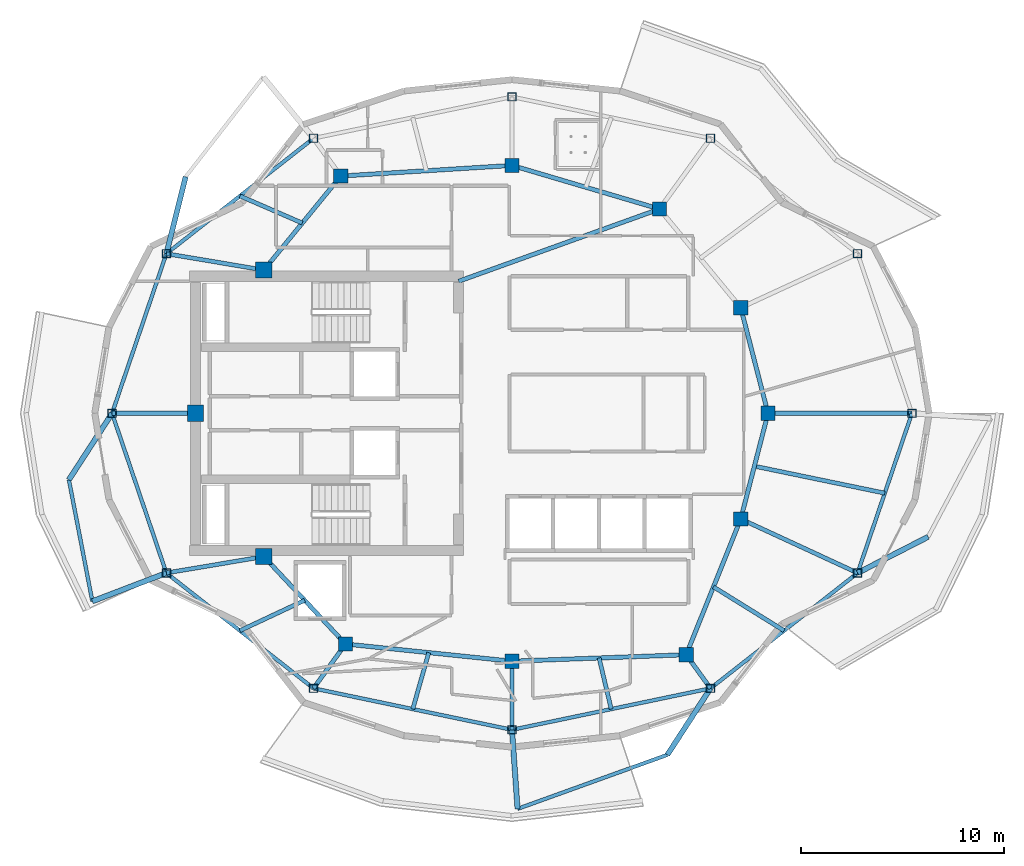
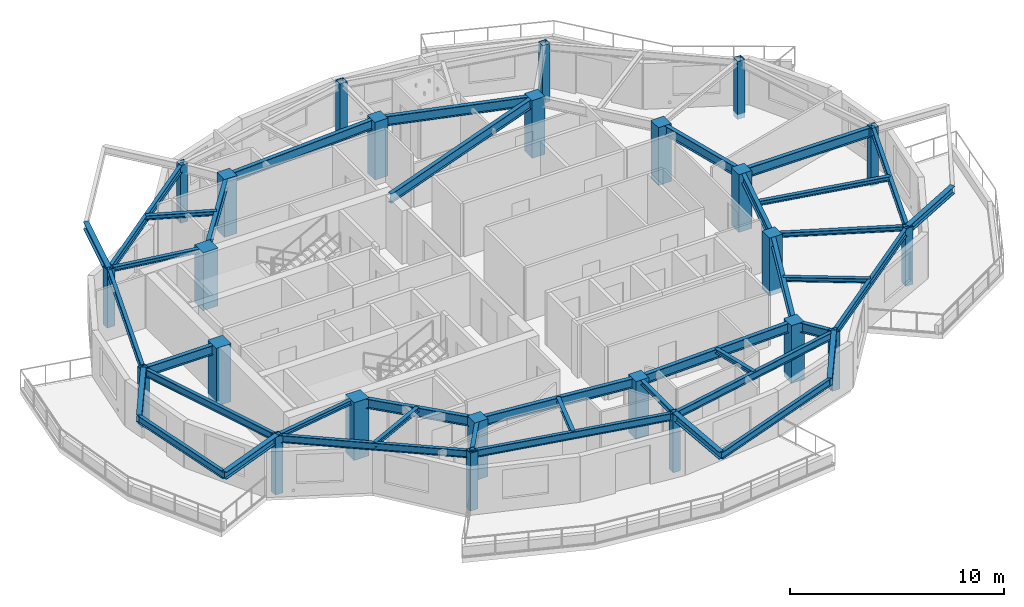
# One storey, part 1 of 11: 40 beams, 24 columns.
"""IFC4 building model written with IfcOpenShell, lengths in metres."""

from ifc_helpers import new_model, si_unit, direction, frame, origin, origin_2d, place, context, subcontext, project, spatial, rectangle, hollow_rectangle, i_section, extrude, material, material_profile, profile_set, type_object, element, save


model = new_model("IFC4")

# Units and contexts
model_context = context("Model", 3, precision=1e-05, world=origin(), true_north=direction((0.0, 1.0)))
body_context = subcontext(model_context, "Body", "Model", "MODEL_VIEW")
ifc_project = project(units=[si_unit("LENGTHUNIT", "METRE"), si_unit("AREAUNIT", "SQUARE_METRE"), si_unit("VOLUMEUNIT", "CUBIC_METRE"), si_unit("PLANEANGLEUNIT", "RADIAN"), si_unit("MASSUNIT", "GRAM", prefix="KILO")], contexts=[model_context])

# Site, building, storey
site_placement = place(None, origin())
site = spatial("IfcSite", under=ifc_project, at=site_placement, CompositionType="ELEMENT")
building_placement = place(site_placement, origin())
building = spatial("IfcBuilding", under=site, at=building_placement, Name="Kolvaren Gate Tower and Convention Centre", CompositionType="ELEMENT")
storey_placement = place(building_placement, frame((0.0, 0.0, 269.0)))
storey = spatial("IfcBuildingStorey", under=building, at=storey_placement, Name="L73", CompositionType="ELEMENT", Elevation=269.0)

# Columns
ifc_material_1 = material(Name="Structural steel ASTM A500 Grade C 345 MPa", Category="steel")
ifc_material_profile_1 = material_profile(ifc_material_1, hollow_rectangle(XDim=0.406005859375, YDim=0.406005859375, WallThickness=0.015869140625, at=origin_2d()), Name="HSS406X406X15.9")
ifc_profile_set_1 = profile_set([ifc_material_profile_1], Name="Structural steel ASTM A500 Grade C 345 MPa")
column_type_1 = type_object("IfcColumnType", Name="STR-COL-HSS406", PredefinedType="COLUMN", material=ifc_profile_set_1)
for number, where, z_axis, x_axis, name in (
    (1, (49.80615234375, 27.0, -0.27001953125), (0.0, 0.0, 1.0), (1.0, 0.0, 0.0), "Tower L73 Perimeter Supercolumn TP-01"),
    (2, (47.1337890625, 34.856201171875, -0.27001953125), (0.0, 0.0, 1.0), (1.0, 0.0, 0.0), "Tower L73 Perimeter Supercolumn TP-02"),
    (3, (39.893310546875, 40.53515625, -0.27001953125), (0.0, 0.0, 1.0), (1.0, 0.0, 0.0), "Tower L73 Perimeter Supercolumn TP-03"),
    (4, (30.125, 42.574951171875, -0.27001953125), (0.0, 0.0, 1.0), (1.0, 0.0, 0.0), "Tower L73 Perimeter Supercolumn TP-04"),
    (5, (20.356689453125, 40.53515625, -0.27001953125), (0.0, 0.0, 1.0), (1.0, 0.0, 0.0), "Tower L73 Perimeter Supercolumn TP-05"),
    (6, (13.1162109375, 34.856201171875, -0.27001953125), (0.0, 0.0, 1.0), (1.0, 0.0, 0.0), "Tower L73 Perimeter Supercolumn TP-06"),
    (7, (10.44384765625, 27.0, -0.27001953125), (0.0, 0.0, 1.0), (1.0, 0.0, 0.0), "Tower L73 Perimeter Supercolumn TP-07"),
    (8, (13.1162109375, 19.143798828125, -0.27001953125), (0.0, 0.0, 1.0), (1.0, 0.0, 0.0), "Tower L73 Perimeter Supercolumn TP-08"),
    (9, (20.356689453125, 13.46484375, -0.27001953125), (0.0, 0.0, 1.0), (1.0, 0.0, 0.0), "Tower L73 Perimeter Supercolumn TP-09"),
    (10, (30.125, 11.425048828125, -0.27001953125), (0.0, 0.0, 1.0), (1.0, 0.0, 0.0), "Tower L73 Perimeter Supercolumn TP-10"),
    (11, (39.893310546875, 13.46484375, -0.27001953125), (0.0, 0.0, 1.0), (1.0, 0.0, 0.0), "Tower L73 Perimeter Supercolumn TP-11"),
    (12, (47.1337890625, 19.143798828125, -0.27001953125), (0.0, 0.0, 1.0), (1.0, 0.0, 0.0), "Tower L73 Perimeter Supercolumn TP-12"),
):
    element("IfcColumn", number, at=place(storey_placement, frame(where, z_axis=z_axis, x_axis=x_axis)), inside=storey, type_object=column_type_1, Name=name, PredefinedType="COLUMN", context=body_context, shape_type="SweptSolid", body=[
        extrude(hollow_rectangle(XDim=0.406005859375, YDim=0.406005859375, WallThickness=0.015869140625, at=origin_2d()), origin(), (0.0, 0.0, 1.0), 3.300048828125),
    ])
ifc_material_2 = material(Name="Concrete C50/60", Category="concrete")
ifc_material_profile_2 = material_profile(ifc_material_2, rectangle(XDim=0.699951171875, YDim=0.699951171875, at=origin_2d()), Name="RC-COL-700X700")
ifc_profile_set_2 = profile_set([ifc_material_profile_2], Name="Concrete C50/60")
column_type_2 = type_object("IfcColumnType", Name="STR-COL-RC700", PredefinedType="COLUMN", material=ifc_profile_set_2)
for number, where, z_axis, x_axis, name in (
    (13, (42.72509765625, 27.0, -0.27001953125), (0.0, 0.0, 1.0), (1.0, 0.0, 0.0), "Tower L73 Interior Column TI-01"),
    (14, (41.382080078125, 32.199462890625, -0.27001953125), (0.0, 0.0, 1.0), (1.0, 0.0, 0.0), "Tower L73 Interior Column TI-02"),
    (15, (37.381591796875, 37.054931640625, -0.27001953125), (0.0, 0.0, 1.0), (1.0, 0.0, 0.0), "Tower L73 Interior Column TI-03"),
    (16, (30.125, 39.199951171875, -0.27001953125), (0.0, 0.0, 1.0), (1.0, 0.0, 0.0), "Tower L73 Interior Column TI-04"),
    (17, (21.697998046875, 38.6767578125, -0.27001953125), (0.0, 0.0, 1.0), (1.0, 0.0, 0.0), "Tower L73 Interior Column TI-05"),
    (18, (21.93212890625, 15.647705078125, -0.27001953125), (0.0, 0.0, 1.0), (1.0, 0.0, 0.0), "Tower L73 Interior Column TI-06"),
    (19, (30.125, 14.800048828125, -0.27001953125), (0.0, 0.0, 1.0), (1.0, 0.0, 0.0), "Tower L73 Interior Column TI-07"),
    (20, (38.6982421875, 15.12060546875, -0.27001953125), (0.0, 0.0, 1.0), (1.0, 0.0, 0.0), "Tower L73 Interior Column TI-08"),
    (21, (41.382080078125, 21.800537109375, -0.27001953125), (0.0, 0.0, 1.0), (1.0, 0.0, 0.0), "Tower L73 Interior Column TI-09"),
):
    element("IfcColumn", number, at=place(storey_placement, frame(where, z_axis=z_axis, x_axis=x_axis)), inside=storey, type_object=column_type_2, Name=name, PredefinedType="COLUMN", context=body_context, shape_type="SweptSolid", body=[
        extrude(rectangle(XDim=0.699951171875, YDim=0.699951171875, at=origin_2d()), origin(), (0.0, 0.0, 1.0), 3.300048828125),
    ])
ifc_material_3 = material(Name="Concrete C60/75", Category="concrete")
ifc_material_profile_3 = material_profile(ifc_material_3, rectangle(XDim=0.800048828125, YDim=0.800048828125, at=origin_2d()), Name="RC-COL-800X800")
ifc_profile_set_3 = profile_set([ifc_material_profile_3], Name="Concrete C60/75")
column_type_3 = type_object("IfcColumnType", Name="STR-PIL-RC800", PredefinedType="PILASTER", material=ifc_profile_set_3)
for number, where, z_axis, x_axis, name in (
    (22, (17.9140625, 34.050048828125, -0.27001953125), (0.0, 0.0, 1.0), (1.0, 0.0, 0.0), "Tower L73 Core Boundary Pilaster TC-05"),
    (23, (14.550048828125, 27.0, -0.27001953125), (0.0, 0.0, 1.0), (1.0, 0.0, 0.0), "Tower L73 Core Boundary Pilaster TC-06"),
    (24, (17.9140625, 19.949951171875, -0.27001953125), (0.0, 0.0, 1.0), (1.0, 0.0, 0.0), "Tower L73 Core Boundary Pilaster TC-07"),
):
    element("IfcColumn", number, at=place(storey_placement, frame(where, z_axis=z_axis, x_axis=x_axis)), inside=storey, type_object=column_type_3, Name=name, PredefinedType="PILASTER", context=body_context, shape_type="SweptSolid", body=[
        extrude(rectangle(XDim=0.800048828125, YDim=0.800048828125, at=origin_2d()), origin(), (0.0, 0.0, 1.0), 3.300048828125),
    ])

# Beams
ifc_material_4 = material(Name="Structural steel ASTM A992 Grade 345 MPa", Category="steel")
ifc_material_profile_4 = material_profile(ifc_material_4, i_section(OverallWidth=0.260009765625, OverallDepth=0.419921875, WebThickness=0.013427734375, FlangeThickness=0.0224609375, at=origin_2d()), Name="W410X132")
ifc_profile_set_4 = profile_set([ifc_material_profile_4], Name="Structural steel ASTM A992 Grade 345 MPa")
beam_type_1 = type_object("IfcBeamType", Name="STR-BM-W410X132", PredefinedType="BEAM", material=ifc_profile_set_4)
beam_1_placement = place(storey_placement, frame((13.1162109375, 34.856201171875, 2.820556640625), z_axis=(0.243021682146, 0.97002085648, 0.0), x_axis=(-0.97002085648, 0.243021682146, 0.0)))
element("IfcBeam", 25, at=beam_1_placement, inside=storey, type_object=beam_type_1, Name="Tower L74 Planted Balcony Outrigger Cantilever BC-1B", PredefinedType="BEAM", context=body_context, shape_type="SweptSolid", body=[
    extrude(i_section(OverallWidth=0.260009765625, OverallDepth=0.419921875, WebThickness=0.013427734375, FlangeThickness=0.0224609375, at=origin_2d()), origin(), (0.0, 0.0, 1.0), 3.89990234375),
])
beam_2_placement = place(storey_placement, frame((10.44384765625, 27.0, 2.820556640625), z_axis=(-0.544794709784, -0.838569451024, 0.0), x_axis=(0.838569451024, -0.544794709784, 0.0)))
element("IfcBeam", 26, at=beam_2_placement, inside=storey, type_object=beam_type_1, Name="Tower L74 Planted Balcony Outrigger Cantilever BC-2A", PredefinedType="BEAM", context=body_context, shape_type="SweptSolid", body=[
    extrude(i_section(OverallWidth=0.260009765625, OverallDepth=0.419921875, WebThickness=0.013427734375, FlangeThickness=0.0224609375, at=origin_2d()), origin(), (0.0, 0.0, 1.0), 3.900146484375),
])
for number, where, z_axis, x_axis, name in (
    (27, (13.1162109375, 19.143798828125, 2.820556640625), (-0.933954141343, -0.35739286768, 0.0), (0.35739286768, -0.933954141343, 0.0), "Tower L74 Planted Balcony Outrigger Cantilever BC-2B"),
    (28, (30.125, 11.425048828125, 2.820556640625), (0.070050275129, -0.997543462188, 0.0), (0.997543462188, 0.070050275129, 0.0), "Tower L74 Planted Balcony Outrigger Cantilever BC-3A"),
):
    element("IfcBeam", number, at=place(storey_placement, frame(where, z_axis=z_axis, x_axis=x_axis)), inside=storey, type_object=beam_type_1, Name=name, PredefinedType="BEAM", context=body_context, shape_type="SweptSolid", body=[
        extrude(i_section(OverallWidth=0.260009765625, OverallDepth=0.419921875, WebThickness=0.013427734375, FlangeThickness=0.0224609375, at=origin_2d()), origin(), (0.0, 0.0, 1.0), 3.89990234375),
    ])
for number, where, z_axis, x_axis, name in (
    (29, (39.893310546875, 13.46484375, 2.820556640625), (-0.544416149216, -0.838815269575, 0.0), (0.838815269575, -0.544416149216, 0.0), "Tower L74 Planted Balcony Outrigger Cantilever BC-3B"),
    (30, (47.1337890625, 19.143798828125, 2.820556640625), (0.889772489372, 0.456404335164, 0.0), (-0.456404335164, 0.889772489372, 0.0), "Tower L74 Planted Balcony Outrigger Cantilever BC-4A"),
):
    element("IfcBeam", number, at=place(storey_placement, frame(where, z_axis=z_axis, x_axis=x_axis)), inside=storey, type_object=beam_type_1, Name=name, PredefinedType="BEAM", context=body_context, shape_type="SweptSolid", body=[
        extrude(i_section(OverallWidth=0.260009765625, OverallDepth=0.419921875, WebThickness=0.013427734375, FlangeThickness=0.0224609375, at=origin_2d()), origin(), (0.0, 0.0, 1.0), 3.900146484375),
    ])
ifc_material_profile_5 = material_profile(ifc_material_4, i_section(OverallWidth=0.2119140625, OverallDepth=0.5439453125, WebThickness=0.01318359375, FlangeThickness=0.021240234375, at=origin_2d()), Name="W530X123")
ifc_profile_set_5 = profile_set([ifc_material_profile_5], Name="Structural steel ASTM A992 Grade 345 MPa")
beam_type_2 = type_object("IfcBeamType", Name="STR-BM-W530X123", PredefinedType="BEAM", material=ifc_profile_set_5)
beam_3_placement = place(storey_placement, frame((42.72509765625, 27.0, 2.758056640625), z_axis=(-0.250091133936, -0.968222301296, 0.0), x_axis=(0.968222301296, -0.250091133936, 0.0)))
element("IfcBeam", 31, at=beam_3_placement, inside=storey, type_object=beam_type_2, Name="Tower L73 Primary Ring Girder G-01", PredefinedType="BEAM", context=body_context, shape_type="SweptSolid", body=[
    extrude(i_section(OverallWidth=0.2119140625, OverallDepth=0.5439453125, WebThickness=0.01318359375, FlangeThickness=0.021240234375, at=origin_2d()), origin(), (0.0, 0.0, 1.0), 5.3701171875),
])
beam_4_placement = place(storey_placement, frame((37.381591796875, 37.054931640625, 2.758056640625), z_axis=(-0.958980837827, 0.283470902706, 0.0), x_axis=(-0.283470902706, -0.958980837827, 0.0)))
element("IfcBeam", 32, at=beam_4_placement, inside=storey, type_object=beam_type_2, Name="Tower L73 Primary Ring Girder G-03", PredefinedType="BEAM", context=body_context, shape_type="SweptSolid", body=[
    extrude(i_section(OverallWidth=0.2119140625, OverallDepth=0.5439453125, WebThickness=0.01318359375, FlangeThickness=0.021240234375, at=origin_2d()), origin(), (0.0, 0.0, 1.0), 7.56689453125),
])
beam_5_placement = place(storey_placement, frame((30.125, 39.199951171875, 2.758056640625), z_axis=(-0.998078258568, -0.06196603726, 0.0), x_axis=(0.06196603726, -0.998078258568, 0.0)))
element("IfcBeam", 33, at=beam_5_placement, inside=storey, type_object=beam_type_2, Name="Tower L73 Primary Ring Girder G-04", PredefinedType="BEAM", context=body_context, shape_type="SweptSolid", body=[
    extrude(i_section(OverallWidth=0.2119140625, OverallDepth=0.5439453125, WebThickness=0.01318359375, FlangeThickness=0.021240234375, at=origin_2d()), origin(), (0.0, 0.0, 1.0), 8.443115234375),
])
beam_6_placement = place(storey_placement, frame((21.697998046875, 38.6767578125, 2.758056640625), z_axis=(-0.633082074904, -0.774084676528, 0.0), x_axis=(0.774084676528, -0.633082074904, 0.0)))
element("IfcBeam", 34, at=beam_6_placement, inside=storey, type_object=beam_type_2, Name="Tower L73 Primary Ring Girder G-05", PredefinedType="BEAM", context=body_context, shape_type="SweptSolid", body=[
    extrude(i_section(OverallWidth=0.2119140625, OverallDepth=0.5439453125, WebThickness=0.01318359375, FlangeThickness=0.021240234375, at=origin_2d()), origin(), (0.0, 0.0, 1.0), 5.97705078125),
])
beam_7_placement = place(storey_placement, frame((17.9140625, 19.949951171875, 2.758056640625), z_axis=(0.682557592987, -0.730831808459, 0.0), x_axis=(0.730831808459, 0.682557592987, 0.0)))
element("IfcBeam", 35, at=beam_7_placement, inside=storey, type_object=beam_type_2, Name="Tower L73 Primary Ring Girder G-06", PredefinedType="BEAM", context=body_context, shape_type="SweptSolid", body=[
    extrude(i_section(OverallWidth=0.2119140625, OverallDepth=0.5439453125, WebThickness=0.01318359375, FlangeThickness=0.021240234375, at=origin_2d()), origin(), (0.0, 0.0, 1.0), 5.88671875),
])
beam_8_placement = place(storey_placement, frame((21.93212890625, 15.647705078125, 2.758056640625), z_axis=(0.994690329115, -0.102913308978, 0.0), x_axis=(0.102913308978, 0.994690329115, 0.0)))
element("IfcBeam", 36, at=beam_8_placement, inside=storey, type_object=beam_type_2, Name="Tower L73 Primary Ring Girder G-07", PredefinedType="BEAM", context=body_context, shape_type="SweptSolid", body=[
    extrude(i_section(OverallWidth=0.2119140625, OverallDepth=0.5439453125, WebThickness=0.01318359375, FlangeThickness=0.021240234375, at=origin_2d()), origin(), (0.0, 0.0, 1.0), 8.236572265625),
])
beam_9_placement = place(storey_placement, frame((30.125, 14.800048828125, 2.758056640625), z_axis=(0.999301712453, 0.037364254142, 0.0), x_axis=(-0.037364254142, 0.999301712453, 0.0)))
element("IfcBeam", 37, at=beam_9_placement, inside=storey, type_object=beam_type_2, Name="Tower L73 Primary Ring Girder G-08", PredefinedType="BEAM", context=body_context, shape_type="SweptSolid", body=[
    extrude(i_section(OverallWidth=0.2119140625, OverallDepth=0.5439453125, WebThickness=0.01318359375, FlangeThickness=0.021240234375, at=origin_2d()), origin(), (0.0, 0.0, 1.0), 8.579345703125),
])
beam_10_placement = place(storey_placement, frame((38.6982421875, 15.12060546875, 2.758056640625), z_axis=(0.372811100169, 0.927907260232, 0.0), x_axis=(-0.927907260232, 0.372811100169, 0.0)))
element("IfcBeam", 38, at=beam_10_placement, inside=storey, type_object=beam_type_2, Name="Tower L73 Primary Ring Girder G-09", PredefinedType="BEAM", context=body_context, shape_type="SweptSolid", body=[
    extrude(i_section(OverallWidth=0.2119140625, OverallDepth=0.5439453125, WebThickness=0.01318359375, FlangeThickness=0.021240234375, at=origin_2d()), origin(), (0.0, 0.0, 1.0), 7.198974609375),
])
beam_11_placement = place(storey_placement, frame((27.5, 33.5, 2.758056640625), z_axis=(0.940961479908, 0.338513653093, 0.0), x_axis=(-0.338513653093, 0.940961479908, 0.0)))
element("IfcBeam", 39, at=beam_11_placement, inside=storey, type_object=beam_type_2, Name="Tower L73 Primary Ring Girder G-10", PredefinedType="BEAM", context=body_context, shape_type="SweptSolid", body=[
    extrude(i_section(OverallWidth=0.2119140625, OverallDepth=0.5439453125, WebThickness=0.01318359375, FlangeThickness=0.021240234375, at=origin_2d()), origin(), (0.0, 0.0, 1.0), 10.501708984375),
])
beam_12_placement = place(storey_placement, frame((42.72509765625, 27.0, 2.758056640625), z_axis=(-0.250091133936, 0.968222301296, 0.0), x_axis=(-0.968222301296, -0.250091133936, 0.0)))
element("IfcBeam", 40, at=beam_12_placement, inside=storey, type_object=beam_type_2, Name="Tower L73 Primary Ring Girder G-12", PredefinedType="BEAM", context=body_context, shape_type="SweptSolid", body=[
    extrude(i_section(OverallWidth=0.2119140625, OverallDepth=0.5439453125, WebThickness=0.01318359375, FlangeThickness=0.021240234375, at=origin_2d()), origin(), (0.0, 0.0, 1.0), 5.3701171875),
])
beam_13_placement = place(storey_placement, frame((42.72509765625, 27.0, 2.758056640625), z_axis=(1.0, 0.0, 0.0), x_axis=(0.0, 1.0, 0.0)))
element("IfcBeam", 41, at=beam_13_placement, inside=storey, type_object=beam_type_2, Name="Tower L73 Radial Floor Girder RB-01", PredefinedType="BEAM", context=body_context, shape_type="SweptSolid", body=[
    extrude(i_section(OverallWidth=0.2119140625, OverallDepth=0.5439453125, WebThickness=0.01318359375, FlangeThickness=0.021240234375, at=origin_2d()), origin(), (0.0, 0.0, 1.0), 7.0810546875),
])
beam_14_placement = place(storey_placement, frame((14.550048828125, 27.0, 2.758056640625), z_axis=(-1.0, 0.0, 0.0), x_axis=(0.0, -1.0, 0.0)))
element("IfcBeam", 42, at=beam_14_placement, inside=storey, type_object=beam_type_2, Name="Tower L73 Radial Floor Girder RB-07", PredefinedType="BEAM", context=body_context, shape_type="SweptSolid", body=[
    extrude(i_section(OverallWidth=0.2119140625, OverallDepth=0.5439453125, WebThickness=0.01318359375, FlangeThickness=0.021240234375, at=origin_2d()), origin(), (0.0, 0.0, 1.0), 4.106201171875),
])
beam_15_placement = place(storey_placement, frame((21.93212890625, 15.647705078125, 2.758056640625), z_axis=(-0.585228935975, -0.810868110421, 0.0), x_axis=(0.810868110421, -0.585228935975, 0.0)))
element("IfcBeam", 43, at=beam_15_placement, inside=storey, type_object=beam_type_2, Name="Tower L73 Radial Floor Girder RB-09", PredefinedType="BEAM", context=body_context, shape_type="SweptSolid", body=[
    extrude(i_section(OverallWidth=0.2119140625, OverallDepth=0.5439453125, WebThickness=0.01318359375, FlangeThickness=0.021240234375, at=origin_2d()), origin(), (0.0, 0.0, 1.0), 2.69189453125),
])
beam_16_placement = place(storey_placement, frame((38.6982421875, 15.12060546875, 2.758056640625), z_axis=(0.585246071944, -0.810855742579, 0.0), x_axis=(0.810855742579, 0.585246071944, 0.0)))
element("IfcBeam", 44, at=beam_16_placement, inside=storey, type_object=beam_type_2, Name="Tower L73 Radial Floor Girder RB-11", PredefinedType="BEAM", context=body_context, shape_type="SweptSolid", body=[
    extrude(i_section(OverallWidth=0.2119140625, OverallDepth=0.5439453125, WebThickness=0.01318359375, FlangeThickness=0.021240234375, at=origin_2d()), origin(), (0.0, 0.0, 1.0), 2.0419921875),
])
ifc_material_profile_6 = material_profile(ifc_material_4, i_section(OverallWidth=0.202880859375, OverallDepth=0.251953125, WebThickness=0.008056640625, FlangeThickness=0.013427734375, at=origin_2d()), Name="W250X58")
ifc_profile_set_6 = profile_set([ifc_material_profile_6], Name="Structural steel ASTM A992 Grade 345 MPa")
beam_type_3 = type_object("IfcBeamType", Name="STR-JS-W250X58", PredefinedType="JOIST", material=ifc_profile_set_6)
for number, where, z_axis, x_axis, name in (
    (45, (17.9140625, 34.050048828125, 2.904052734375), (-0.986176061403, 0.165700862749, 0.0), (-0.165700862749, -0.986176061403, 0.0), "Tower L73 Radial Floor Girder RB-06"),
    (46, (17.9140625, 19.949951171875, 2.904052734375), (-0.986176061403, -0.165700862749, 0.0), (0.165700862749, -0.986176061403, 0.0), "Tower L73 Radial Floor Girder RB-08"),
):
    element("IfcBeam", number, at=place(storey_placement, frame(where, z_axis=z_axis, x_axis=x_axis)), inside=storey, type_object=beam_type_3, Name=name, PredefinedType="JOIST", context=body_context, shape_type="SweptSolid", body=[
        extrude(i_section(OverallWidth=0.202880859375, OverallDepth=0.251953125, WebThickness=0.008056640625, FlangeThickness=0.013427734375, at=origin_2d()), origin(), (0.0, 0.0, 1.0), 4.864990234375),
    ])
beam_17_placement = place(storey_placement, frame((30.125, 14.800048828125, 2.904052734375), z_axis=(0.0, -1.0, 0.0), x_axis=(1.0, 0.0, 0.0)))
element("IfcBeam", 47, at=beam_17_placement, inside=storey, type_object=beam_type_3, Name="Tower L73 Radial Floor Girder RB-10", PredefinedType="JOIST", context=body_context, shape_type="SweptSolid", body=[
    extrude(i_section(OverallWidth=0.202880859375, OverallDepth=0.251953125, WebThickness=0.008056640625, FlangeThickness=0.013427734375, at=origin_2d()), origin(), (0.0, 0.0, 1.0), 3.375),
])
beam_18_placement = place(storey_placement, frame((41.382080078125, 21.800537109375, 2.904052734375), z_axis=(0.907833025456, -0.41933184698, 0.0), x_axis=(0.41933184698, 0.907833025456, 0.0)))
element("IfcBeam", 48, at=beam_18_placement, inside=storey, type_object=beam_type_3, Name="Tower L73 Radial Floor Girder RB-12", PredefinedType="JOIST", context=body_context, shape_type="SweptSolid", body=[
    extrude(i_section(OverallWidth=0.202880859375, OverallDepth=0.251953125, WebThickness=0.008056640625, FlangeThickness=0.013427734375, at=origin_2d()), origin(), (0.0, 0.0, 1.0), 6.335693359375),
])
beam_19_placement = place(storey_placement, frame((19.805908203125, 36.36328125, 2.904052734375), z_axis=(-0.917285677822, 0.398229814632, 0.0), x_axis=(-0.398229814632, -0.917285677822, 0.0)))
element("IfcBeam", 49, at=beam_19_placement, inside=storey, type_object=beam_type_3, Name="Tower L73 Secondary Composite Floor Joist J-05.1", PredefinedType="JOIST", context=body_context, shape_type="SweptSolid", body=[
    extrude(i_section(OverallWidth=0.202880859375, OverallDepth=0.251953125, WebThickness=0.008056640625, FlangeThickness=0.013427734375, at=origin_2d()), origin(), (0.0, 0.0, 1.0), 3.34619140625),
])
beam_20_placement = place(storey_placement, frame((19.923095703125, 17.798828125, 2.904052734375), z_axis=(-0.90535561097, -0.424654233095, 0.0), x_axis=(0.424654233095, -0.90535561097, 0.0)))
element("IfcBeam", 50, at=beam_20_placement, inside=storey, type_object=beam_type_3, Name="Tower L73 Secondary Composite Floor Joist J-08.1", PredefinedType="JOIST", context=body_context, shape_type="SweptSolid", body=[
    extrude(i_section(OverallWidth=0.202880859375, OverallDepth=0.251953125, WebThickness=0.008056640625, FlangeThickness=0.013427734375, at=origin_2d()), origin(), (0.0, 0.0, 1.0), 3.51953125),
])
beam_21_placement = place(storey_placement, frame((26.028564453125, 15.223876953125, 2.904052734375), z_axis=(-0.272666468309, -0.962108620198, 0.0), x_axis=(0.962108620198, -0.272666468309, 0.0)))
element("IfcBeam", 51, at=beam_21_placement, inside=storey, type_object=beam_type_3, Name="Tower L73 Secondary Composite Floor Joist J-09.1", PredefinedType="JOIST", context=body_context, shape_type="SweptSolid", body=[
    extrude(i_section(OverallWidth=0.202880859375, OverallDepth=0.251953125, WebThickness=0.008056640625, FlangeThickness=0.013427734375, at=origin_2d()), origin(), (0.0, 0.0, 1.0), 2.888427734375),
])
beam_22_placement = place(storey_placement, frame((34.41162109375, 14.960205078125, 2.904052734375), z_axis=(0.231075782924, -0.972935754583, 0.0), x_axis=(0.972935754583, 0.231075782924, 0.0)))
element("IfcBeam", 52, at=beam_22_placement, inside=storey, type_object=beam_type_3, Name="Tower L73 Secondary Composite Floor Joist J-10.1", PredefinedType="JOIST", context=body_context, shape_type="SweptSolid", body=[
    extrude(i_section(OverallWidth=0.202880859375, OverallDepth=0.251953125, WebThickness=0.008056640625, FlangeThickness=0.013427734375, at=origin_2d()), origin(), (0.0, 0.0, 1.0), 2.58544921875),
])
beam_23_placement = place(storey_placement, frame((40.040283203125, 18.46044921875, 2.904052734375), z_axis=(0.849584798243, -0.527452055257, 0.0), x_axis=(0.527452055257, 0.849584798243, 0.0)))
element("IfcBeam", 53, at=beam_23_placement, inside=storey, type_object=beam_type_3, Name="Tower L73 Secondary Composite Floor Joist J-11.1", PredefinedType="JOIST", context=body_context, shape_type="SweptSolid", body=[
    extrude(i_section(OverallWidth=0.202880859375, OverallDepth=0.251953125, WebThickness=0.008056640625, FlangeThickness=0.013427734375, at=origin_2d()), origin(), (0.0, 0.0, 1.0), 4.088134765625),
])
beam_24_placement = place(storey_placement, frame((42.0537109375, 24.400146484375, 2.904052734375), z_axis=(0.97924155137, -0.20269677864, 0.0), x_axis=(0.20269677864, 0.97924155137, 0.0)))
element("IfcBeam", 54, at=beam_24_placement, inside=storey, type_object=beam_type_3, Name="Tower L73 Secondary Composite Floor Joist J-12.1", PredefinedType="JOIST", context=body_context, shape_type="SweptSolid", body=[
    extrude(i_section(OverallWidth=0.202880859375, OverallDepth=0.251953125, WebThickness=0.008056640625, FlangeThickness=0.013427734375, at=origin_2d()), origin(), (0.0, 0.0, 1.0), 6.55224609375),
])
ifc_material_profile_7 = material_profile(ifc_material_4, i_section(OverallWidth=0.180908203125, OverallDepth=0.4169921875, WebThickness=0.010986328125, FlangeThickness=0.018310546875, at=origin_2d()), Name="W410X85")
ifc_profile_set_7 = profile_set([ifc_material_profile_7], Name="Structural steel ASTM A992 Grade 345 MPa")
beam_type_4 = type_object("IfcBeamType", Name="STR-SP-W410X85", PredefinedType="SPANDREL", material=ifc_profile_set_7)
beam_25_placement = place(storey_placement, frame((20.356689453125, 40.53515625, 2.821533203125), z_axis=(-0.786845586039, -0.61714991998, 0.0), x_axis=(0.61714991998, -0.786845586039, 0.0)))
element("IfcBeam", 55, at=beam_25_placement, inside=storey, type_object=beam_type_4, Name="Tower L73 Perimeter Spandrel Beam SP-05", PredefinedType="SPANDREL", context=body_context, shape_type="SweptSolid", body=[
    extrude(i_section(OverallWidth=0.180908203125, OverallDepth=0.4169921875, WebThickness=0.010986328125, FlangeThickness=0.018310546875, at=origin_2d()), origin(), (0.0, 0.0, 1.0), 9.201904296875),
])
for number, where, z_axis, x_axis, name in (
    (56, (13.1162109375, 34.856201171875, 2.821533203125), (-0.322038282171, -0.946726647357, 0.0), (0.946726647357, -0.322038282171, 0.0), "Tower L73 Perimeter Spandrel Beam SP-06"),
    (57, (10.44384765625, 27.0, 2.821533203125), (0.322038282171, -0.946726647357, 0.0), (0.946726647357, 0.322038282171, 0.0), "Tower L73 Perimeter Spandrel Beam SP-07"),
):
    element("IfcBeam", number, at=place(storey_placement, frame(where, z_axis=z_axis, x_axis=x_axis)), inside=storey, type_object=beam_type_4, Name=name, PredefinedType="SPANDREL", context=body_context, shape_type="SweptSolid", body=[
        extrude(i_section(OverallWidth=0.180908203125, OverallDepth=0.4169921875, WebThickness=0.010986328125, FlangeThickness=0.018310546875, at=origin_2d()), origin(), (0.0, 0.0, 1.0), 8.29833984375),
    ])
beam_26_placement = place(storey_placement, frame((13.1162109375, 19.143798828125, 2.821533203125), z_axis=(0.786845586039, -0.61714991998, 0.0), x_axis=(0.61714991998, 0.786845586039, 0.0)))
element("IfcBeam", 58, at=beam_26_placement, inside=storey, type_object=beam_type_4, Name="Tower L73 Perimeter Spandrel Beam SP-08", PredefinedType="SPANDREL", context=body_context, shape_type="SweptSolid", body=[
    extrude(i_section(OverallWidth=0.180908203125, OverallDepth=0.4169921875, WebThickness=0.010986328125, FlangeThickness=0.018310546875, at=origin_2d()), origin(), (0.0, 0.0, 1.0), 9.201904296875),
])
for number, where, z_axis, x_axis, name in (
    (59, (20.356689453125, 13.46484375, 2.821533203125), (0.978885668593, -0.204408531681, 0.0), (0.204408531681, 0.978885668593, 0.0), "Tower L73 Perimeter Spandrel Beam SP-09"),
    (60, (30.125, 11.425048828125, 2.821533203125), (0.978885668593, 0.204408531681, 0.0), (-0.204408531681, 0.978885668593, 0.0), "Tower L73 Perimeter Spandrel Beam SP-10"),
):
    element("IfcBeam", number, at=place(storey_placement, frame(where, z_axis=z_axis, x_axis=x_axis)), inside=storey, type_object=beam_type_4, Name=name, PredefinedType="SPANDREL", context=body_context, shape_type="SweptSolid", body=[
        extrude(i_section(OverallWidth=0.180908203125, OverallDepth=0.4169921875, WebThickness=0.010986328125, FlangeThickness=0.018310546875, at=origin_2d()), origin(), (0.0, 0.0, 1.0), 9.97900390625),
    ])
beam_27_placement = place(storey_placement, frame((39.893310546875, 13.46484375, 2.821533203125), z_axis=(0.786845586039, 0.61714991998, 0.0), x_axis=(-0.61714991998, 0.786845586039, 0.0)))
element("IfcBeam", 61, at=beam_27_placement, inside=storey, type_object=beam_type_4, Name="Tower L73 Perimeter Spandrel Beam SP-11", PredefinedType="SPANDREL", context=body_context, shape_type="SweptSolid", body=[
    extrude(i_section(OverallWidth=0.180908203125, OverallDepth=0.4169921875, WebThickness=0.010986328125, FlangeThickness=0.018310546875, at=origin_2d()), origin(), (0.0, 0.0, 1.0), 9.201904296875),
])
beam_28_placement = place(storey_placement, frame((47.1337890625, 19.143798828125, 2.821533203125), z_axis=(0.322038282171, 0.946726647357, 0.0), x_axis=(-0.946726647357, 0.322038282171, 0.0)))
element("IfcBeam", 62, at=beam_28_placement, inside=storey, type_object=beam_type_4, Name="Tower L73 Perimeter Spandrel Beam SP-12", PredefinedType="SPANDREL", context=body_context, shape_type="SweptSolid", body=[
    extrude(i_section(OverallWidth=0.180908203125, OverallDepth=0.4169921875, WebThickness=0.010986328125, FlangeThickness=0.018310546875, at=origin_2d()), origin(), (0.0, 0.0, 1.0), 8.29833984375),
])
beam_29_placement = place(storey_placement, frame((8.319091796875, 23.7294921875, 2.822021484375), z_axis=(0.189620519125, -0.981857453364, 0.0), x_axis=(0.981857453364, 0.189620519125, 0.0)))
element("IfcBeam", 63, at=beam_29_placement, inside=storey, type_object=beam_type_4, Name="Tower L74 Planted Balcony Header Tie Beam BT-2", PredefinedType="SPANDREL", context=body_context, shape_type="SweptSolid", body=[
    extrude(i_section(OverallWidth=0.180908203125, OverallDepth=0.4169921875, WebThickness=0.010986328125, FlangeThickness=0.018310546875, at=origin_2d()), origin(), (0.0, 0.0, 1.0), 6.090087890625),
])
beam_30_placement = place(storey_placement, frame((30.398193359375, 7.53466796875, 2.822021484375), z_axis=(0.940690666396, 0.339265486241, 0.0), x_axis=(-0.339265486241, 0.940690666396, 0.0)))
element("IfcBeam", 64, at=beam_30_placement, inside=storey, type_object=beam_type_4, Name="Tower L74 Planted Balcony Header Tie Beam BT-3", PredefinedType="SPANDREL", context=body_context, shape_type="SweptSolid", body=[
    extrude(i_section(OverallWidth=0.180908203125, OverallDepth=0.4169921875, WebThickness=0.010986328125, FlangeThickness=0.018310546875, at=origin_2d()), origin(), (0.0, 0.0, 1.0), 7.836669921875),
])

save(model, "model.ifc")
